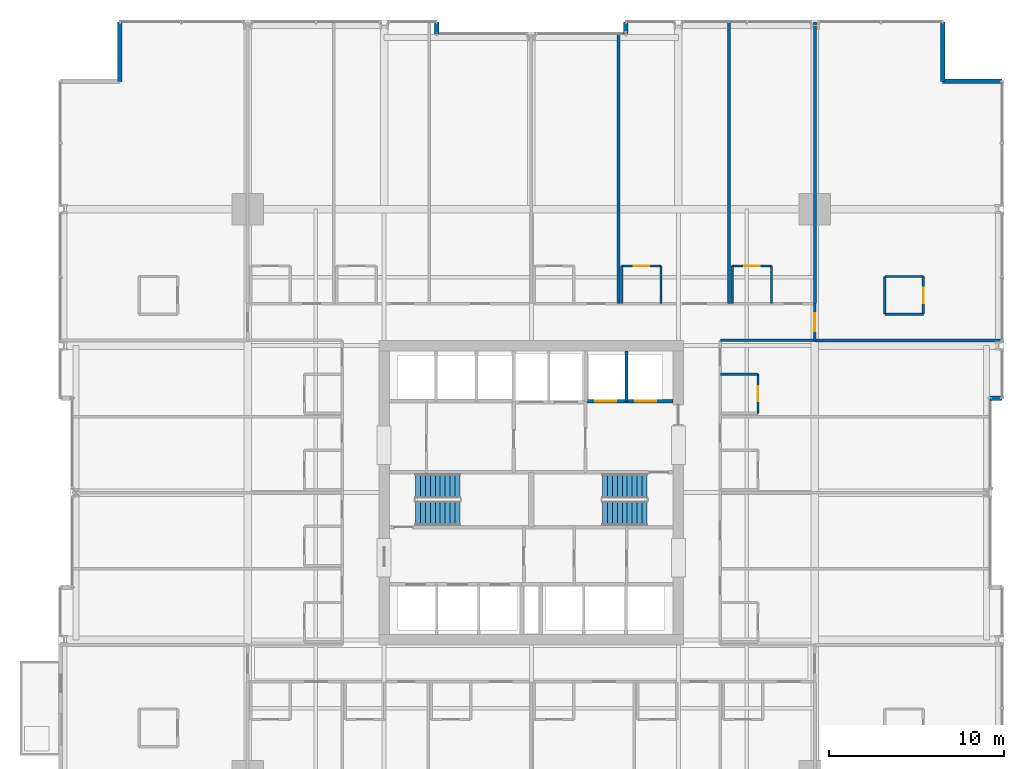
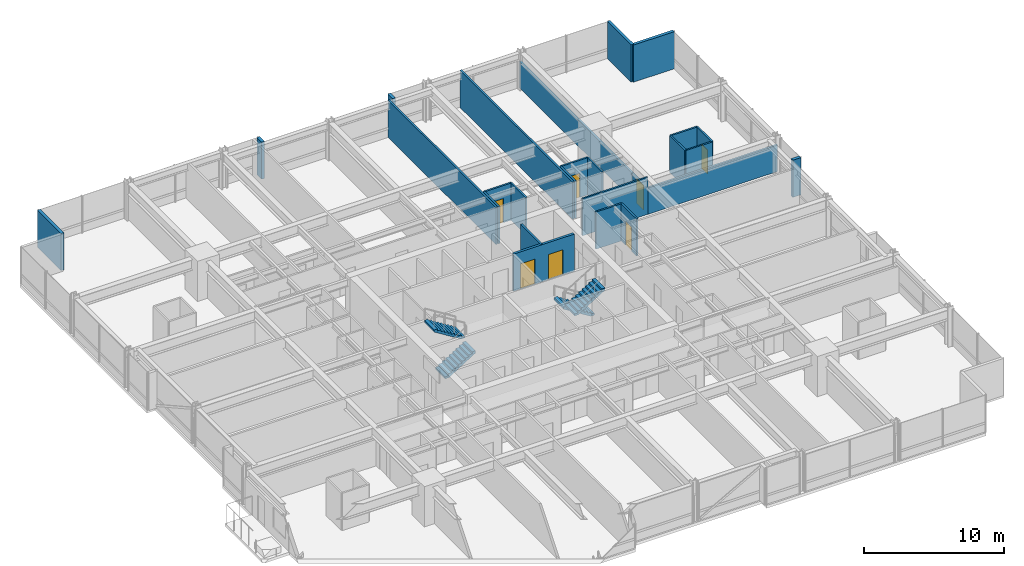
# One storey, part 34 of 39: 26 walls, 7 doors, 4 stair flights, 7 openings, 2 elements without a shape of their own.
"""IFC4 building model written with IfcOpenShell, lengths in metres."""

from ifc_helpers import new_model, si_unit, direction, frame, frame_2d, origin, place, context, subcontext, project, spatial, polyline, rectangle, outline, extrude, material, layer, layer_set, type_object, element, fill, aggregate, save


model = new_model("IFC4")

# Units and contexts
model_context = context("Model", 3, precision=1e-05, world=origin(), true_north=direction((0.0, 1.0)))
body_context = subcontext(model_context, "Body", "Model", "MODEL_VIEW")
ifc_project = project(units=[si_unit("LENGTHUNIT", "METRE"), si_unit("AREAUNIT", "SQUARE_METRE"), si_unit("VOLUMEUNIT", "CUBIC_METRE"), si_unit("PLANEANGLEUNIT", "RADIAN"), si_unit("MASSUNIT", "GRAM", prefix="KILO")], contexts=[model_context])

# Site, building, storey
site_placement = place(None, origin())
site = spatial("IfcSite", under=ifc_project, at=site_placement, CompositionType="ELEMENT")
building_placement = place(site_placement, origin())
building = spatial("IfcBuilding", under=site, at=building_placement, Name="Drelvath Grand Hotel", CompositionType="ELEMENT")
storey_placement = place(building_placement, frame((0.0, 0.0, 36.699951171875)))
storey = spatial("IfcBuildingStorey", under=building, at=storey_placement, Name="L07", CompositionType="ELEMENT", Elevation=36.699951171875)

# Wall, openings, doors
ifc_material_1 = material(Name="Concrete C40/50", Category="concrete")
ifc_layer_1 = layer(ifc_material_1, 0.199951171875)
ifc_layer_set_1 = layer_set([ifc_layer_1], Name="Concrete C40/50")
wall_type_1 = type_object("IfcWallType", Name="Core Hoistway Fire Wall 200", PredefinedType="SOLIDWALL", material=ifc_layer_set_1)
wall_1_placement = place(storey_placement, frame((3.10009765625, 32.219970703125, 0.0), z_axis=(0.0, 0.0, 1.0), x_axis=(1.0, 0.0, 0.0)))
wall_1 = element("IfcWall", 1, at=wall_1_placement, inside=storey, type_object=wall_type_1, Name="L07 FSAE Hoistway Front Wall", PredefinedType="SOLIDWALL", context=body_context, shape_type="SweptSolid", body=[
    extrude(rectangle(XDim=5.0, YDim=0.199951171875, at=frame_2d((2.5, 0.0))), origin(), (0.0, 0.0, 1.0), 3.239990234375),
])
opening_1_placement = place(wall_1_placement, frame((0.550048828125, 0.0, 0.0)))
opening_1 = element("IfcOpeningElement", 2, at=opening_1_placement, cuts=wall_1, Name="Opening LD-FSAE-1", PredefinedType="OPENING", context=body_context, shape_type="SweptSolid", body=[
    extrude(rectangle(XDim=1.199951171875, YDim=2.199951171875, at=frame_2d((0.60009765625, 1.10009765625))), frame((0.0, 0.10986328125, 0.0), z_axis=(0.0, -1.0, 0.0), x_axis=(1.0, 0.0, 0.0)), (0.0, 0.0, 1.0), 0.219970703125),
])
opening_2_placement = place(wall_1_placement, frame((2.85009765625, 0.0, 0.0)))
opening_2 = element("IfcOpeningElement", 3, at=opening_2_placement, cuts=wall_1, Name="Opening LD-FSAE-2", PredefinedType="OPENING", context=body_context, shape_type="SweptSolid", body=[
    extrude(rectangle(XDim=1.199951171875, YDim=2.199951171875, at=frame_2d((0.60009765625, 1.10009765625))), frame((0.0, 0.10986328125, 0.0), z_axis=(0.0, -1.0, 0.0), x_axis=(1.0, 0.0, 0.0)), (0.0, 0.0, 1.0), 0.219970703125),
])
ifc_material_2 = material(Name="Stainless Steel S355", Category="steel")
door_type_1 = type_object("IfcDoorType", Name="FSAE Lift Sliding Landing Door 1200x2200", OperationType="NOTDEFINED", PredefinedType="DOOR", material=ifc_material_2)
door_1_placement = place(opening_1_placement, origin())
door_1 = element("IfcDoor", 4, at=door_1_placement, inside=storey, type_object=door_type_1, Name="L07 Lift FSAE-1 Landing Door", OperationType="SLIDING_TO_LEFT", OverallHeight=2.199951171875, OverallWidth=1.199951171875, PredefinedType="DOOR", context=body_context, shape_type="SweptSolid", body=[
    extrude(rectangle(XDim=1.199951171875, YDim=2.199951171875, at=frame_2d((0.60009765625, 1.10009765625))), frame((0.0, 0.02490234375, 0.0), z_axis=(0.0, -1.0, 0.0), x_axis=(1.0, 0.0, 0.0)), (0.0, 0.0, 1.0), 0.050048828125),
])
fill(opening_1, door_1)
door_2_placement = place(opening_2_placement, origin())
door_2 = element("IfcDoor", 5, at=door_2_placement, inside=storey, type_object=door_type_1, Name="L07 Lift FSAE-2 Landing Door", OperationType="SLIDING_TO_LEFT", OverallHeight=2.199951171875, OverallWidth=1.199951171875, PredefinedType="DOOR", context=body_context, shape_type="SweptSolid", body=[
    extrude(rectangle(XDim=1.199951171875, YDim=2.199951171875, at=frame_2d((0.60009765625, 1.10009765625))), frame((0.0, 0.02490234375, 0.0), z_axis=(0.0, -1.0, 0.0), x_axis=(1.0, 0.0, 0.0)), (0.0, 0.0, 1.0), 0.050048828125),
])
fill(opening_2, door_2)

# Walls
ifc_material_3 = material(Name="Gypsum Fireboard Partition")
ifc_layer_2 = layer(ifc_material_3, 0.1650390625)
ifc_layer_set_2 = layer_set([ifc_layer_2], Name="Gypsum Fireboard Partition")
wall_type_2 = type_object("IfcWallType", Name="Core Shaft Partition 165", PredefinedType="PARTITIONING", material=ifc_layer_set_2)
wall_2_placement = place(storey_placement, frame((5.449951171875, 32.219970703125, 0.0), z_axis=(0.0, 0.0, 1.0), x_axis=(0.0, 1.0, 0.0)))
element("IfcWall", 6, at=wall_2_placement, inside=storey, type_object=wall_type_2, Name="L07 FSAE Hoistway Divider", PredefinedType="PARTITIONING", context=body_context, shape_type="SweptSolid", body=[
    extrude(rectangle(XDim=2.880126953125, YDim=0.1650390625, at=frame_2d((1.43994140625, 0.0))), origin(), (0.0, 0.0, 1.0), 3.239990234375),
])
ifc_layer_3 = layer(ifc_material_3, 0.135009765625)
ifc_layer_set_3 = layer_set([ifc_layer_3], Name="Gypsum Fireboard Partition")
wall_type_3 = type_object("IfcWallType", Name="Corridor Fire Barrier Wall 135", PredefinedType="PARTITIONING", material=ifc_layer_set_3)
wall_3_placement = place(storey_placement, frame((10.800048828125, 35.699951171875, 0.0), z_axis=(0.0, 0.0, 1.0), x_axis=(1.0, 0.0, 0.0)))
element("IfcWall", 7, at=wall_3_placement, inside=storey, type_object=wall_type_3, Name="L07 NE Spur Inner Wall", PredefinedType="PARTITIONING", context=body_context, shape_type="SweptSolid", body=[
    extrude(rectangle(XDim=5.39990234375, YDim=0.135009765625, at=frame_2d((2.699951171875, 0.0))), origin(), (0.0, 0.0, 1.0), 3.239990234375),
])

# Wall, opening, door
wall_4_placement = place(storey_placement, frame((16.199951171875, 35.699951171875, 0.0), z_axis=(0.0, 0.0, 1.0), x_axis=(0.0, 1.0, 0.0)))
wall_4 = element("IfcWall", 8, at=wall_4_placement, inside=storey, type_object=wall_type_3, Name="L07 North Corridor East End", PredefinedType="PARTITIONING", context=body_context, shape_type="SweptSolid", body=[
    extrude(rectangle(XDim=2.10009765625, YDim=0.135009765625, at=frame_2d((1.050048828125, 0.0))), origin(), (0.0, 0.0, 1.0), 2.29833984375),
])
opening_3_placement = place(wall_4_placement, frame((0.52001953125, 0.0, 0.0)))
opening_3 = element("IfcOpeningElement", 9, at=opening_3_placement, cuts=wall_4, Name="Opening D-T1G1-025", PredefinedType="OPENING", context=body_context, shape_type="SweptSolid", body=[
    extrude(rectangle(XDim=1.02001953125, YDim=2.14990234375, at=frame_2d((0.510009765625, 1.074951171875))), frame((0.0, 0.077392578125, 0.0), z_axis=(0.0, -1.0, 0.0), x_axis=(1.0, 0.0, 0.0)), (0.0, 0.0, 1.0), 0.155029296875),
])
ifc_material_4 = material(Name="Hardwood Walnut Timber", Category="wood")
door_type_2 = type_object("IfcDoorType", Name="Amenity Meeting Fire Door 1020x2150", OperationType="NOTDEFINED", PredefinedType="DOOR", material=ifc_material_4)
door_3_placement = place(opening_3_placement, origin())
door_3 = element("IfcDoor", 10, at=door_3_placement, inside=storey, type_object=door_type_2, Name="L07 Corner Suite Entry Door", OperationType="SINGLE_SWING_RIGHT", OverallHeight=2.14990234375, OverallWidth=1.02001953125, PredefinedType="DOOR", context=body_context, shape_type="SweptSolid", body=[
    extrude(rectangle(XDim=1.02001953125, YDim=2.14990234375, at=frame_2d((0.510009765625, 1.074951171875))), frame((0.0, 0.02490234375, 0.0), z_axis=(0.0, -1.0, 0.0), x_axis=(1.0, 0.0, 0.0)), (0.0, 0.0, 1.0), 0.050048828125),
])
fill(opening_3, door_3)

# Walls
ifc_material_5 = material(Name="Moisture-Resistant Gypsum Board")
ifc_layer_4 = layer(ifc_material_5, 0.139892578125)
ifc_layer_set_4 = layer_set([ifc_layer_4], Name="Moisture-Resistant Gypsum Board")
wall_type_4 = type_object("IfcWallType", Name="En-Suite Plumbing Wall 140", PredefinedType="PLUMBINGWALL", material=ifc_layer_set_4)
for number, where, z_axis, x_axis, name in (
    (11, (20.199951171875, 37.199951171875, 0.0), (0.0, 0.0, 1.0), (1.0, 0.0, 0.0), "L07 Corner En-Suite South"),
    (12, (20.199951171875, 39.35009765625, 0.0), (0.0, 0.0, 1.0), (1.0, 0.0, 0.0), "L07 Corner En-Suite North"),
):
    element("IfcWall", number, at=place(storey_placement, frame(where, z_axis=z_axis, x_axis=x_axis)), inside=storey, type_object=wall_type_4, Name=name, PredefinedType="PLUMBINGWALL", context=body_context, shape_type="SweptSolid", body=[
        extrude(rectangle(XDim=2.199951171875, YDim=0.139892578125, at=frame_2d((1.10009765625, 0.0))), origin(), (0.0, 0.0, 1.0), 3.239990234375),
    ])
wall_5_placement = place(storey_placement, frame((20.199951171875, 37.199951171875, 0.0), z_axis=(0.0, 0.0, 1.0), x_axis=(0.0, 1.0, 0.0)))
element("IfcWall", 13, at=wall_5_placement, inside=storey, type_object=wall_type_4, Name="L07 Corner En-Suite West", PredefinedType="PLUMBINGWALL", context=body_context, shape_type="SweptSolid", body=[
    extrude(rectangle(XDim=2.150146484375, YDim=0.139892578125, at=frame_2d((1.0751953125, 0.0))), origin(), (0.0, 0.0, 1.0), 3.239990234375),
])

# Wall, opening, door
wall_6_placement = place(storey_placement, frame((22.39990234375, 37.199951171875, 0.0), z_axis=(0.0, 0.0, 1.0), x_axis=(0.0, 1.0, 0.0)))
wall_6 = element("IfcWall", 14, at=wall_6_placement, inside=storey, type_object=wall_type_4, Name="L07 Corner En-Suite East", PredefinedType="PLUMBINGWALL", context=body_context, shape_type="SweptSolid", body=[
    extrude(rectangle(XDim=2.150146484375, YDim=0.139892578125, at=frame_2d((1.0751953125, 0.0))), origin(), (0.0, 0.0, 1.0), 3.239990234375),
])
opening_4_placement = place(wall_6_placement, frame((0.6201171875, 0.0, 0.0)))
opening_4 = element("IfcOpeningElement", 15, at=opening_4_placement, cuts=wall_6, Name="Opening D-T1G1-024", PredefinedType="OPENING", context=body_context, shape_type="SweptSolid", body=[
    extrude(rectangle(XDim=0.8798828125, YDim=2.10009765625, at=frame_2d((0.43994140625, 1.050048828125))), frame((0.0, 0.079833984375, 0.0), z_axis=(0.0, -1.0, 0.0), x_axis=(1.0, 0.0, 0.0)), (0.0, 0.0, 1.0), 0.159912109375),
])
door_type_3 = type_object("IfcDoorType", Name="En-Suite Bathroom Door 880x2100", OperationType="NOTDEFINED", PredefinedType="DOOR", material=ifc_material_4)
door_4_placement = place(opening_4_placement, origin())
door_4 = element("IfcDoor", 16, at=door_4_placement, inside=storey, type_object=door_type_3, Name="L07 Corner En-Suite Door", OperationType="SINGLE_SWING_LEFT", OverallHeight=2.10009765625, OverallWidth=0.8798828125, PredefinedType="DOOR", context=body_context, shape_type="SweptSolid", body=[
    extrude(rectangle(XDim=0.8798828125, YDim=2.10009765625, at=frame_2d((0.43994140625, 1.050048828125))), frame((0.0, 0.02490234375, 0.0), z_axis=(0.0, -1.0, 0.0), x_axis=(1.0, 0.0, 0.0)), (0.0, 0.0, 1.0), 0.050048828125),
])
fill(opening_4, door_4)

# Walls
for number, where, z_axis, x_axis, name in (
    (17, (5.159912109375, 37.800048828125, 0.0), (0.0, 0.0, 1.0), (0.0, 1.0, 0.0), "L07 En-Suite Left Wall"),
    (18, (7.409912109375, 37.800048828125, 0.0), (0.0, 0.0, 1.0), (0.0, 1.0, 0.0), "L07 En-Suite Right Wall"),
):
    element("IfcWall", number, at=place(storey_placement, frame(where, z_axis=z_axis, x_axis=x_axis)), inside=storey, type_object=wall_type_4, Name=name, PredefinedType="PLUMBINGWALL", context=body_context, shape_type="SweptSolid", body=[
        extrude(rectangle(XDim=2.14990234375, YDim=0.139892578125, at=frame_2d((1.074951171875, 0.0))), origin(), (0.0, 0.0, 1.0), 3.239990234375),
    ])

# Wall, opening, door
wall_7_placement = place(storey_placement, frame((5.159912109375, 39.949951171875, 0.0), z_axis=(0.0, 0.0, 1.0), x_axis=(1.0, 0.0, 0.0)))
wall_7 = element("IfcWall", 19, at=wall_7_placement, inside=storey, type_object=wall_type_4, Name="L07 En-Suite Front Wall", PredefinedType="PLUMBINGWALL", context=body_context, shape_type="SweptSolid", body=[
    extrude(rectangle(XDim=2.25, YDim=0.139892578125, at=frame_2d((1.125, 0.0))), origin(), (0.0, 0.0, 1.0), 3.239990234375),
])
opening_5_placement = place(wall_7_placement, frame((0.68505859375, 0.0, 0.0)))
opening_5 = element("IfcOpeningElement", 20, at=opening_5_placement, cuts=wall_7, Name="Opening D-T1G1-045", PredefinedType="OPENING", context=body_context, shape_type="SweptSolid", body=[
    extrude(rectangle(XDim=0.8798828125, YDim=2.10009765625, at=frame_2d((0.43994140625, 1.050048828125))), frame((0.0, 0.079833984375, 0.0), z_axis=(0.0, -1.0, 0.0), x_axis=(1.0, 0.0, 0.0)), (0.0, 0.0, 1.0), 0.159912109375),
])
door_5_placement = place(opening_5_placement, origin())
door_5 = element("IfcDoor", 21, at=door_5_placement, inside=storey, type_object=door_type_3, Name="L07 En-Suite Bathroom Door", OperationType="SINGLE_SWING_RIGHT", OverallHeight=2.10009765625, OverallWidth=0.8798828125, PredefinedType="DOOR", context=body_context, shape_type="SweptSolid", body=[
    extrude(rectangle(XDim=0.8798828125, YDim=2.10009765625, at=frame_2d((0.43994140625, 1.050048828125))), frame((0.0, 0.02490234375, 0.0), z_axis=(0.0, -1.0, 0.0), x_axis=(1.0, 0.0, 0.0)), (0.0, 0.0, 1.0), 0.050048828125),
])
fill(opening_5, door_5)

# Walls
for number, where, z_axis, x_axis, name in (
    (22, (11.470947265625, 37.800048828125, 0.0), (0.0, 0.0, 1.0), (0.0, 1.0, 0.0), "L07 En-Suite Left Wall"),
    (23, (13.720947265625, 37.800048828125, 0.0), (0.0, 0.0, 1.0), (0.0, 1.0, 0.0), "L07 En-Suite Right Wall"),
):
    element("IfcWall", number, at=place(storey_placement, frame(where, z_axis=z_axis, x_axis=x_axis)), inside=storey, type_object=wall_type_4, Name=name, PredefinedType="PLUMBINGWALL", context=body_context, shape_type="SweptSolid", body=[
        extrude(rectangle(XDim=2.14990234375, YDim=0.139892578125, at=frame_2d((1.074951171875, 0.0))), origin(), (0.0, 0.0, 1.0), 3.239990234375),
    ])

# Wall, opening, door
wall_8_placement = place(storey_placement, frame((11.470947265625, 39.949951171875, 0.0), z_axis=(0.0, 0.0, 1.0), x_axis=(1.0, 0.0, 0.0)))
wall_8 = element("IfcWall", 24, at=wall_8_placement, inside=storey, type_object=wall_type_4, Name="L07 En-Suite Front Wall", PredefinedType="PLUMBINGWALL", context=body_context, shape_type="SweptSolid", body=[
    extrude(rectangle(XDim=2.25, YDim=0.139892578125, at=frame_2d((1.125, 0.0))), origin(), (0.0, 0.0, 1.0), 3.239990234375),
])
opening_6_placement = place(wall_8_placement, frame((0.68505859375, 0.0, 0.0)))
opening_6 = element("IfcOpeningElement", 25, at=opening_6_placement, cuts=wall_8, Name="Opening D-T1G1-047", PredefinedType="OPENING", context=body_context, shape_type="SweptSolid", body=[
    extrude(rectangle(XDim=0.8798828125, YDim=2.10009765625, at=frame_2d((0.43994140625, 1.050048828125))), frame((0.0, 0.079833984375, 0.0), z_axis=(0.0, -1.0, 0.0), x_axis=(1.0, 0.0, 0.0)), (0.0, 0.0, 1.0), 0.159912109375),
])
door_6_placement = place(opening_6_placement, origin())
door_6 = element("IfcDoor", 26, at=door_6_placement, inside=storey, type_object=door_type_3, Name="L07 En-Suite Bathroom Door", OperationType="SINGLE_SWING_RIGHT", OverallHeight=2.10009765625, OverallWidth=0.8798828125, PredefinedType="DOOR", context=body_context, shape_type="SweptSolid", body=[
    extrude(rectangle(XDim=0.8798828125, YDim=2.10009765625, at=frame_2d((0.43994140625, 1.050048828125))), frame((0.0, 0.02490234375, 0.0), z_axis=(0.0, -1.0, 0.0), x_axis=(1.0, 0.0, 0.0)), (0.0, 0.0, 1.0), 0.050048828125),
])
fill(opening_6, door_6)

# Wall
wall_9_placement = place(storey_placement, frame((10.800048828125, 33.780029296875, 0.0), z_axis=(0.0, 0.0, 1.0), x_axis=(1.0, 0.0, 0.0)))
element("IfcWall", 27, at=wall_9_placement, inside=storey, type_object=wall_type_4, Name="L07 En-Suite Right Wall", PredefinedType="PLUMBINGWALL", context=body_context, shape_type="SweptSolid", body=[
    extrude(rectangle(XDim=2.14990234375, YDim=0.139892578125, at=frame_2d((1.074951171875, 0.0))), origin(), (0.0, 0.0, 1.0), 3.239990234375),
])

# Wall, opening, door
wall_10_placement = place(storey_placement, frame((12.949951171875, 31.530029296875, 0.0), z_axis=(0.0, 0.0, 1.0), x_axis=(0.0, 1.0, 0.0)))
wall_10 = element("IfcWall", 28, at=wall_10_placement, inside=storey, type_object=wall_type_4, Name="L07 En-Suite Front Wall", PredefinedType="PLUMBINGWALL", context=body_context, shape_type="SweptSolid", body=[
    extrude(rectangle(XDim=2.25, YDim=0.139892578125, at=frame_2d((1.125, 0.0))), origin(), (0.0, 0.0, 1.0), 3.239990234375),
])
opening_7_placement = place(wall_10_placement, frame((0.68505859375, 0.0, 0.0)))
opening_7 = element("IfcOpeningElement", 29, at=opening_7_placement, cuts=wall_10, Name="Opening D-T1G1-062", PredefinedType="OPENING", context=body_context, shape_type="SweptSolid", body=[
    extrude(rectangle(XDim=0.8798828125, YDim=2.10009765625, at=frame_2d((0.43994140625, 1.050048828125))), frame((0.0, 0.079833984375, 0.0), z_axis=(0.0, -1.0, 0.0), x_axis=(1.0, 0.0, 0.0)), (0.0, 0.0, 1.0), 0.159912109375),
])
door_7_placement = place(opening_7_placement, origin())
door_7 = element("IfcDoor", 30, at=door_7_placement, inside=storey, type_object=door_type_3, Name="L07 En-Suite Bathroom Door", OperationType="SINGLE_SWING_LEFT", OverallHeight=2.10009765625, OverallWidth=0.8798828125, PredefinedType="DOOR", context=body_context, shape_type="SweptSolid", body=[
    extrude(rectangle(XDim=0.8798828125, YDim=2.10009765625, at=frame_2d((0.43994140625, 1.050048828125))), frame((0.0, 0.02490234375, 0.0), z_axis=(0.0, -1.0, 0.0), x_axis=(1.0, 0.0, 0.0)), (0.0, 0.0, 1.0), 0.050048828125),
])
fill(opening_7, door_7)

# Walls
ifc_material_6 = material(Name="Gypsum Acoustic Partition")
ifc_layer_5 = layer(ifc_material_6, 0.14990234375)
ifc_layer_set_5 = layer_set([ifc_layer_5], Name="Gypsum Acoustic Partition")
wall_type_5 = type_object("IfcWallType", Name="Guestroom Demising Wall 150", PredefinedType="PARTITIONING", material=ifc_layer_set_5)
wall_11_placement = place(storey_placement, frame((4.97998046875, 37.800048828125, 0.0), z_axis=(0.0, 0.0, 1.0), x_axis=(0.0, 1.0, 0.0)))
element("IfcWall", 31, at=wall_11_placement, inside=storey, type_object=wall_type_5, Name="L07 North Demising 4", PredefinedType="PARTITIONING", context=body_context, shape_type="SweptSolid", body=[
    extrude(rectangle(XDim=15.39990234375, YDim=0.14990234375, at=frame_2d((7.699951171875, 0.0))), origin(), (0.0, 0.0, 1.0), 3.239990234375),
])
wall_12_placement = place(storey_placement, frame((11.291015625, 37.800048828125, 0.0), z_axis=(0.0, 0.0, 1.0), x_axis=(0.0, 1.0, 0.0)))
element("IfcWall", 32, at=wall_12_placement, inside=storey, type_object=wall_type_5, Name="L07 North Demising 5", PredefinedType="PARTITIONING", context=body_context, shape_type="SweptSolid", body=[
    extrude(rectangle(XDim=16.079833984375, YDim=0.14990234375, at=frame_2d((8.0400390625, 0.0))), origin(), (0.0, 0.0, 1.0), 3.239990234375),
])
ifc_layer_6 = layer(ifc_material_6, 0.1650390625)
ifc_layer_set_6 = layer_set([ifc_layer_6], Name="Gypsum Acoustic Partition")
wall_type_6 = type_object("IfcWallType", Name="Suite Demising Wall 165", PredefinedType="PARTITIONING", material=ifc_layer_set_6)
wall_13_placement = place(storey_placement, frame((16.199951171875, 37.800048828125, 0.0), z_axis=(0.0, 0.0, 1.0), x_axis=(0.0, 1.0, 0.0)))
element("IfcWall", 33, at=wall_13_placement, inside=storey, type_object=wall_type_6, Name="L07 NE Wing Boundary Wall", PredefinedType="PARTITIONING", context=body_context, shape_type="SweptSolid", body=[
    extrude(rectangle(XDim=16.079833984375, YDim=0.1650390625, at=frame_2d((8.0400390625, 0.0))), origin(), (0.0, 0.0, 1.0), 2.29833984375),
])
wall_14_placement = place(storey_placement, frame((16.199951171875, 35.699951171875, 0.0), z_axis=(0.0, 0.0, 1.0), x_axis=(1.0, 0.0, 0.0)))
element("IfcWall", 34, at=wall_14_placement, inside=storey, type_object=wall_type_6, Name="L07 NE Corner South Wall", PredefinedType="PARTITIONING", context=body_context, shape_type="SweptSolid", body=[
    extrude(rectangle(XDim=10.679931640625, YDim=0.1650390625, at=frame_2d((5.33984375, 0.0))), origin(), (0.0, 0.0, 1.0), 2.29833984375),
])
ifc_material_7 = material(Name="Pale-Metal Insulated Aluminium Spandrel Assembly", Category="aluminium")
ifc_layer_7 = layer(ifc_material_7, 0.239990234375)
ifc_layer_set_7 = layer_set([ifc_layer_7], Name="Pale-Metal Insulated Aluminium Spandrel Assembly")
wall_type_7 = type_object("IfcWallType", Name="Tower Insulated Metal Spandrel Closure Wall 240", PredefinedType="STANDARD", material=ifc_layer_set_7)
for number, where, z_axis, x_axis, name in (
    (35, (-23.5, 50.5, 0.0), (0.0, 0.0, 1.0), (0.0, 1.0, 0.0), "L07 Notched Corner Return Spandrel Wall CNW2"),
    (36, (23.5, 53.8798828125, 0.0), (0.0, 0.0, 1.0), (0.0, -1.0, 0.0), "L07 Notched Corner Return Spandrel Wall CNE1"),
    (37, (23.5, 50.5, 0.0), (0.0, 0.0, 1.0), (1.0, 0.0, 0.0), "L07 Notched Corner Return Spandrel Wall CNE2"),
):
    element("IfcWall", number, at=place(storey_placement, frame(where, z_axis=z_axis, x_axis=x_axis)), inside=storey, type_object=wall_type_7, Name=name, PredefinedType="STANDARD", context=body_context, shape_type="SweptSolid", body=[
        extrude(rectangle(XDim=3.3798828125, YDim=0.239990234375, at=frame_2d((1.68994140625, 0.0))), origin(), (0.0, 0.0, 1.0), 3.239990234375),
    ])
for number, where, z_axis, x_axis, name in (
    (38, (26.8798828125, 32.39990234375, 0.0), (0.0, 0.0, 1.0), (-1.0, 0.0, 0.0), "L07 Notched Corner Return Spandrel Wall RE1"),
    (39, (-5.39990234375, 53.8798828125, 0.0), (0.0, 0.0, 1.0), (0.0, -1.0, 0.0), "L07 Notched Corner Return Spandrel Wall RN1"),
    (40, (5.39990234375, 53.199951171875, 0.0), (0.0, 0.0, 1.0), (0.0, 1.0, 0.0), "L07 Notched Corner Return Spandrel Wall RN2"),
):
    element("IfcWall", number, at=place(storey_placement, frame(where, z_axis=z_axis, x_axis=x_axis)), inside=storey, type_object=wall_type_7, Name=name, PredefinedType="STANDARD", context=body_context, shape_type="SweptSolid", body=[
        extrude(rectangle(XDim=0.679931640625, YDim=0.239990234375, at=frame_2d((0.33984375, 0.0))), origin(), (0.0, 0.0, 1.0), 3.239990234375),
    ])

# Stair, stair flights
stair_type = type_object("IfcStairType", Name="Dogleg Exit Stair W1400-R175.0", PredefinedType="HALF_TURN_STAIR", material=ifc_material_1)
stair_1_placement = place(storey_placement, origin())
stair_1 = element("IfcStair", 41, at=stair_1_placement, inside=storey, type_object=stair_type, Name="L07 Core Exit Stair ST-1", PredefinedType="HALF_TURN_STAIR")
stair_flight_type = type_object("IfcStairFlightType", Name="Concrete Stair Flight W1400-R175.0", PredefinedType="STRAIGHT", material=ifc_material_1)
stair_flight_1_placement = place(storey_placement, frame((-6.60009765625, 25.820068359375, 0.0), z_axis=(0.0, 0.0, 1.0), x_axis=(1.0, 0.0, 0.0)))
stair_flight_1 = element("IfcStairFlight", 42, at=stair_flight_1_placement, type_object=stair_flight_type, Name="ST-1 flight 1", NumberOfRisers=10, NumberOfTreads=9, PredefinedType="STRAIGHT", RiserHeight=0.175, TreadLength=0.28, context=body_context, shape_type="SweptSolid", body=[
    extrude(outline(polyline([(0.0, 0.0), (0.0, 0.175048828125), (0.280029296875, 0.175048828125), (0.280029296875, 0.35009765625), (0.56005859375, 0.35009765625), (0.56005859375, 0.52490234375), (0.840087890625, 0.52490234375), (0.840087890625, 0.699951171875), (1.1201171875, 0.699951171875), (1.1201171875, 0.875), (1.39990234375, 0.875), (1.39990234375, 1.050048828125), (1.679931640625, 1.050048828125), (1.679931640625, 1.22509765625), (1.9599609375, 1.22509765625), (1.9599609375, 1.39990234375), (2.239990234375, 1.39990234375), (2.239990234375, 1.574951171875), (2.52001953125, 1.574951171875), (2.52001953125, 1.75), (2.52001953125, 1.386474609375), (0.3017578125, 0.0), (0.0, 0.0)])), frame((0.0, 0.699951171875, 0.0), z_axis=(0.0, -1.0, 0.0), x_axis=(1.0, 0.0, 0.0)), (0.0, 0.0, 1.0), 1.39990234375),
])
stair_flight_2_placement = place(storey_placement, frame((-4.080078125, 27.3798828125, 1.75), z_axis=(0.0, 0.0, 1.0), x_axis=(-1.0, 0.0, 0.0)))
stair_flight_2 = element("IfcStairFlight", 43, at=stair_flight_2_placement, type_object=stair_flight_type, Name="ST-1 flight 2", NumberOfRisers=10, NumberOfTreads=9, PredefinedType="STRAIGHT", RiserHeight=0.175, TreadLength=0.28, context=body_context, shape_type="SweptSolid", body=[
    extrude(outline(polyline([(0.0, 0.0), (0.0, 0.175048828125), (0.280029296875, 0.175048828125), (0.280029296875, 0.35009765625), (0.56005859375, 0.35009765625), (0.56005859375, 0.52490234375), (0.840087890625, 0.52490234375), (0.840087890625, 0.699951171875), (1.1201171875, 0.699951171875), (1.1201171875, 0.875), (1.39990234375, 0.875), (1.39990234375, 1.050048828125), (1.679931640625, 1.050048828125), (1.679931640625, 1.22509765625), (1.9599609375, 1.22509765625), (1.9599609375, 1.39990234375), (2.239990234375, 1.39990234375), (2.239990234375, 1.574951171875), (2.52001953125, 1.574951171875), (2.52001953125, 1.75), (2.52001953125, 1.386474609375), (0.3017578125, 0.0), (0.0, 0.0)])), frame((0.0, 0.699951171875, 0.0), z_axis=(0.0, -1.0, 0.0), x_axis=(1.0, 0.0, 0.0)), (0.0, 0.0, 1.0), 1.39990234375),
])
aggregate(stair_1, [stair_flight_1, stair_flight_2])

stair_2_placement = place(storey_placement, origin())
stair_2 = element("IfcStair", 44, at=stair_2_placement, inside=storey, type_object=stair_type, Name="L07 Core Exit Stair ST-2", PredefinedType="HALF_TURN_STAIR")
stair_flight_3_placement = place(storey_placement, frame((6.60009765625, 27.3798828125, 0.0), z_axis=(0.0, 0.0, 1.0), x_axis=(-1.0, 0.0, 0.0)))
stair_flight_3 = element("IfcStairFlight", 45, at=stair_flight_3_placement, type_object=stair_flight_type, Name="ST-2 flight 1", NumberOfRisers=10, NumberOfTreads=9, PredefinedType="STRAIGHT", RiserHeight=0.175, TreadLength=0.28, context=body_context, shape_type="SweptSolid", body=[
    extrude(outline(polyline([(0.0, 0.0), (0.0, 0.175048828125), (0.280029296875, 0.175048828125), (0.280029296875, 0.35009765625), (0.56005859375, 0.35009765625), (0.56005859375, 0.52490234375), (0.840087890625, 0.52490234375), (0.840087890625, 0.699951171875), (1.1201171875, 0.699951171875), (1.1201171875, 0.875), (1.39990234375, 0.875), (1.39990234375, 1.050048828125), (1.679931640625, 1.050048828125), (1.679931640625, 1.22509765625), (1.9599609375, 1.22509765625), (1.9599609375, 1.39990234375), (2.239990234375, 1.39990234375), (2.239990234375, 1.574951171875), (2.52001953125, 1.574951171875), (2.52001953125, 1.75), (2.52001953125, 1.386474609375), (0.3017578125, 0.0), (0.0, 0.0)])), frame((0.0, 0.699951171875, 0.0), z_axis=(0.0, -1.0, 0.0), x_axis=(1.0, 0.0, 0.0)), (0.0, 0.0, 1.0), 1.39990234375),
])
stair_flight_4_placement = place(storey_placement, frame((4.080078125, 25.820068359375, 1.75), z_axis=(0.0, 0.0, 1.0), x_axis=(1.0, 0.0, 0.0)))
stair_flight_4 = element("IfcStairFlight", 46, at=stair_flight_4_placement, type_object=stair_flight_type, Name="ST-2 flight 2", NumberOfRisers=10, NumberOfTreads=9, PredefinedType="STRAIGHT", RiserHeight=0.175, TreadLength=0.28, context=body_context, shape_type="SweptSolid", body=[
    extrude(outline(polyline([(0.0, 0.0), (0.0, 0.175048828125), (0.280029296875, 0.175048828125), (0.280029296875, 0.35009765625), (0.56005859375, 0.35009765625), (0.56005859375, 0.52490234375), (0.840087890625, 0.52490234375), (0.840087890625, 0.699951171875), (1.1201171875, 0.699951171875), (1.1201171875, 0.875), (1.39990234375, 0.875), (1.39990234375, 1.050048828125), (1.679931640625, 1.050048828125), (1.679931640625, 1.22509765625), (1.9599609375, 1.22509765625), (1.9599609375, 1.39990234375), (2.239990234375, 1.39990234375), (2.239990234375, 1.574951171875), (2.52001953125, 1.574951171875), (2.52001953125, 1.75), (2.52001953125, 1.386474609375), (0.3017578125, 0.0), (0.0, 0.0)])), frame((0.0, 0.699951171875, 0.0), z_axis=(0.0, -1.0, 0.0), x_axis=(1.0, 0.0, 0.0)), (0.0, 0.0, 1.0), 1.39990234375),
])
aggregate(stair_2, [stair_flight_3, stair_flight_4])

save(model, "model.ifc")
